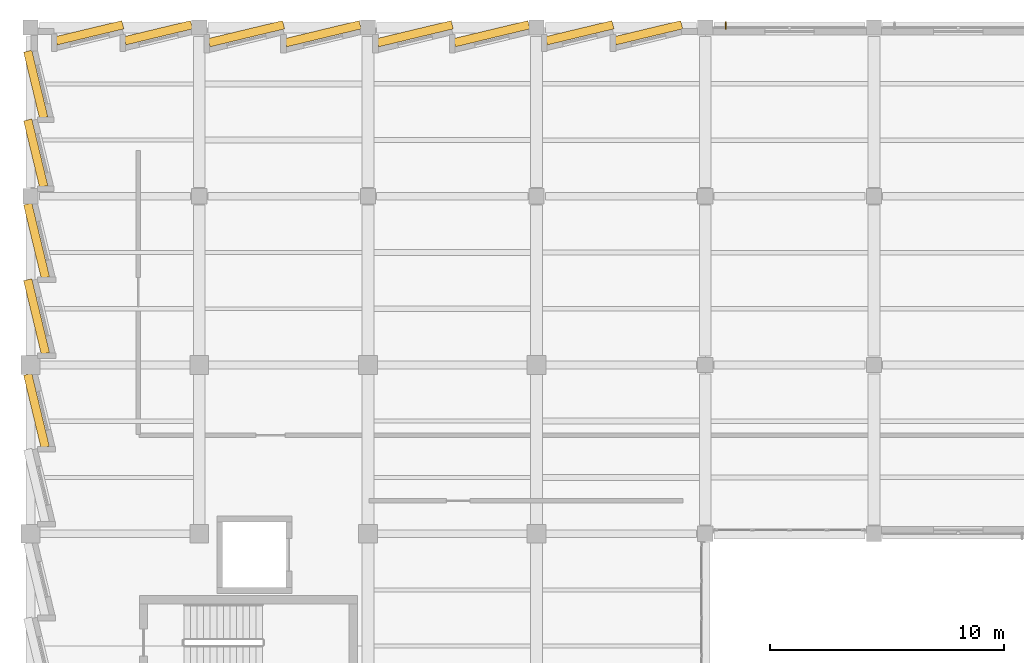
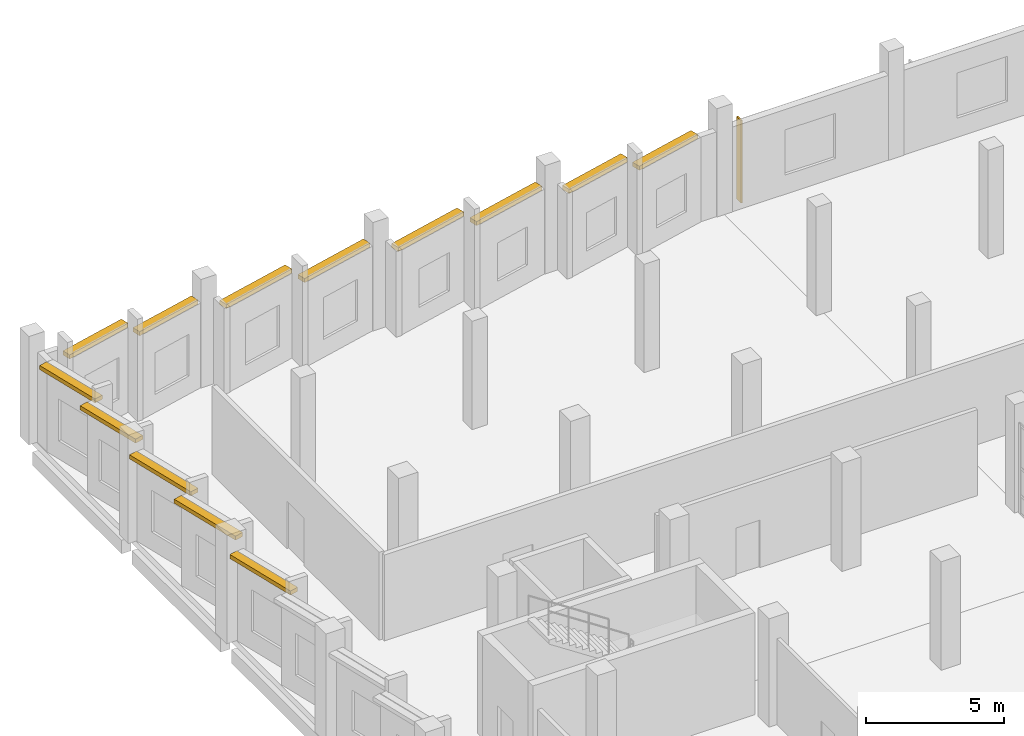
# One storey, part 117 of 127: 14 shading devices.
"""IFC4 building model written with IfcOpenShell, lengths in metres."""

from ifc_helpers import new_model, si_unit, direction, frame, origin, origin_2d, place, context, subcontext, project, spatial, rectangle, extrude, material, layer, layer_set, type_object, element, save


model = new_model("IFC4")

# Units and contexts
model_context = context("Model", 3, precision=1e-05, world=origin(), true_north=direction((0.0, 1.0)))
body_context = subcontext(model_context, "Body", "Model", "MODEL_VIEW")
ifc_project = project(units=[si_unit("LENGTHUNIT", "METRE"), si_unit("AREAUNIT", "SQUARE_METRE"), si_unit("VOLUMEUNIT", "CUBIC_METRE"), si_unit("PLANEANGLEUNIT", "RADIAN"), si_unit("MASSUNIT", "GRAM", prefix="KILO")], contexts=[model_context])

# Site, building, storey
site_placement = place(None, origin())
site = spatial("IfcSite", under=ifc_project, at=site_placement, CompositionType="ELEMENT")
building_placement = place(site_placement, origin())
building = spatial("IfcBuilding", under=site, at=building_placement, Name="Kalmorath City Hall", CompositionType="ELEMENT")
storey_placement = place(building_placement, frame((0.0, 0.0, 5.39990234375)))
storey = spatial("IfcBuildingStorey", under=building, at=storey_placement, Name="L01", CompositionType="ELEMENT", Elevation=5.39990234375)

# Shading devices
ifc_material_1 = material(Name="Bronze anodised aluminium", Category="aluminium")
ifc_layer_1 = layer(ifc_material_1, 0.06005859375)
ifc_layer_set_1 = layer_set([ifc_layer_1], Name="Bronze anodised aluminium")
shading_device_type_1 = type_object("IfcShadingDeviceType", Name="Bronze vertical solar fin 320", PredefinedType="USERDEFINED", material=ifc_layer_set_1)
shading_device_1_placement = place(storey_placement, frame((29.676025390625, 115.300048828125, 0.050048828125), z_axis=(0.0, 0.0, 1.0), x_axis=(1.0, 0.0, 0.0)))
element("IfcShadingDevice", 1, at=shading_device_1_placement, inside=storey, type_object=shading_device_type_1, Name="L01 bronze solar fin #126", ObjectType="FIN", PredefinedType="USERDEFINED", context=body_context, shape_type="SweptSolid", body=[
    extrude(rectangle(XDim=0.06005859375, YDim=0.320068359375, at=origin_2d()), origin(), (0.0, 0.0, 1.0), 3.65087890625),
])
ifc_material_2 = material(Name="Precast concrete C40/50", Category="concrete")
ifc_layer_2 = layer(ifc_material_2, 0.179931640625)
ifc_layer_set_2 = layer_set([ifc_layer_2], Name="Precast concrete C40/50")
shading_device_type_2 = type_object("IfcShadingDeviceType", Name="Precast sawtooth brow sunshade 350", PredefinedType="USERDEFINED", material=ifc_layer_set_2)
shading_device_2_placement = place(storey_placement, frame((0.2529296875, 98.845703125, 3.76611328125), z_axis=(0.0, 0.0, 1.0), x_axis=(-0.233445363856, 0.972369920398, 0.0)))
element("IfcShadingDevice", 2, at=shading_device_2_placement, inside=storey, type_object=shading_device_type_2, Name="L01 precast sawtooth hood #113", ObjectType="SUNSHADE", PredefinedType="USERDEFINED", context=body_context, shape_type="SweptSolid", body=[
    extrude(rectangle(XDim=3.19482421875, YDim=0.360107421875, at=origin_2d()), origin(), (0.0, 0.0, 1.0), 0.179931640625),
])
for number, where, z_axis, x_axis, name in (
    (3, (0.25732421875, 102.865478515625, 3.76611328125), (0.0, 0.0, 1.0), (-0.233445363856, 0.972369920398, 0.0), "L01 precast sawtooth hood #114"),
    (4, (0.25732421875, 106.101806640625, 3.76611328125), (0.0, 0.0, 1.0), (-0.233445363856, 0.972369920398, 0.0), "L01 precast sawtooth hood #115"),
):
    element("IfcShadingDevice", number, at=place(storey_placement, frame(where, z_axis=z_axis, x_axis=x_axis)), inside=storey, type_object=shading_device_type_2, Name=name, ObjectType="SUNSHADE", PredefinedType="USERDEFINED", context=body_context, shape_type="SweptSolid", body=[
        extrude(rectangle(XDim=3.2333984375, YDim=0.360107421875, at=origin_2d()), origin(), (0.0, 0.0, 1.0), 0.179931640625),
    ])
for number, where, z_axis, x_axis, name in (
    (5, (0.22119140625, 109.839111328125, 3.76611328125), (0.0, 0.0, 1.0), (-0.233445363856, 0.972369920398, 0.0), "L01 precast sawtooth hood #116"),
    (6, (0.22119140625, 112.773193359375, 3.76611328125), (0.0, 0.0, 1.0), (-0.233445363856, 0.972369920398, 0.0), "L01 precast sawtooth hood #117"),
    (7, (2.519287109375, 114.97900390625, 3.541015625), (0.0, 0.0, 1.0), (0.972369920398, 0.233445363856, 0.0), "L01 precast sawtooth hood #118"),
    (8, (5.453125, 114.97900390625, 3.541015625), (0.0, 0.0, 1.0), (0.972369920398, 0.233445363856, 0.0), "L01 precast sawtooth hood #119"),
):
    element("IfcShadingDevice", number, at=place(storey_placement, frame(where, z_axis=z_axis, x_axis=x_axis)), inside=storey, type_object=shading_device_type_2, Name=name, ObjectType="SUNSHADE", PredefinedType="USERDEFINED", context=body_context, shape_type="SweptSolid", body=[
        extrude(rectangle(XDim=2.92236328125, YDim=0.360107421875, at=origin_2d()), origin(), (0.0, 0.0, 1.0), 0.179931640625),
    ])
for number, where, z_axis, x_axis, name in (
    (9, (9.209228515625, 114.93798828125, 3.541015625), (0.0, 0.0, 1.0), (0.972369920398, 0.233445363856, 0.0), "L01 precast sawtooth hood #120"),
    (10, (12.483154296875, 114.93798828125, 3.541015625), (0.0, 0.0, 1.0), (0.972369920398, 0.233445363856, 0.0), "L01 precast sawtooth hood #121"),
    (11, (16.4091796875, 114.93798828125, 3.541015625), (0.0, 0.0, 1.0), (0.972369920398, 0.233445363856, 0.0), "L01 precast sawtooth hood #122"),
    (12, (19.68310546875, 114.93798828125, 3.541015625), (0.0, 0.0, 1.0), (0.972369920398, 0.233445363856, 0.0), "L01 precast sawtooth hood #123"),
):
    element("IfcShadingDevice", number, at=place(storey_placement, frame(where, z_axis=z_axis, x_axis=x_axis)), inside=storey, type_object=shading_device_type_2, Name=name, ObjectType="SUNSHADE", PredefinedType="USERDEFINED", context=body_context, shape_type="SweptSolid", body=[
        extrude(rectangle(XDim=3.27197265625, YDim=0.360107421875, at=origin_2d()), origin(), (0.0, 0.0, 1.0), 0.179931640625),
    ])
for number, where, z_axis, x_axis, name in (
    (13, (23.439208984375, 114.97900390625, 3.541015625), (0.0, 0.0, 1.0), (0.972369920398, 0.233445363856, 0.0), "L01 precast sawtooth hood #124"),
    (14, (26.373291015625, 114.97900390625, 3.541015625), (0.0, 0.0, 1.0), (0.972369920398, 0.233445363856, 0.0), "L01 precast sawtooth hood #125"),
):
    element("IfcShadingDevice", number, at=place(storey_placement, frame(where, z_axis=z_axis, x_axis=x_axis)), inside=storey, type_object=shading_device_type_2, Name=name, ObjectType="SUNSHADE", PredefinedType="USERDEFINED", context=body_context, shape_type="SweptSolid", body=[
        extrude(rectangle(XDim=2.92236328125, YDim=0.360107421875, at=origin_2d()), origin(), (0.0, 0.0, 1.0), 0.179931640625),
    ])

save(model, "model.ifc")
